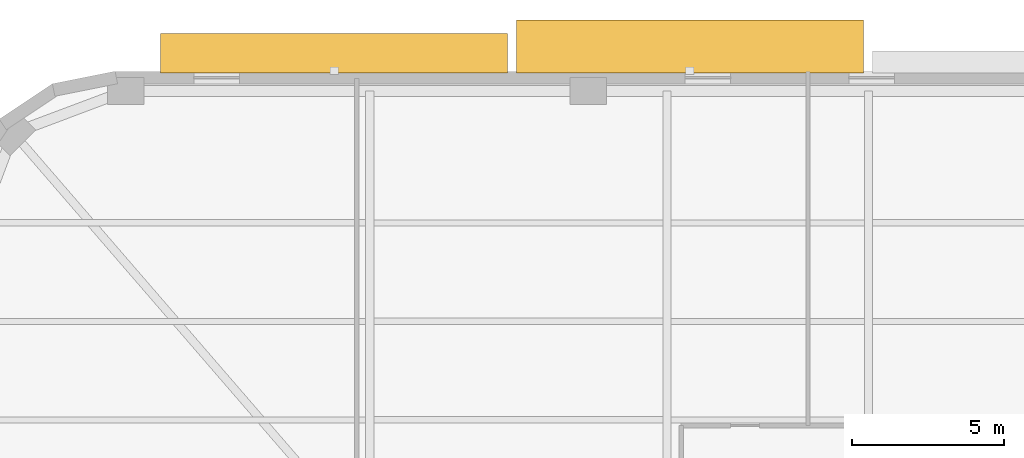
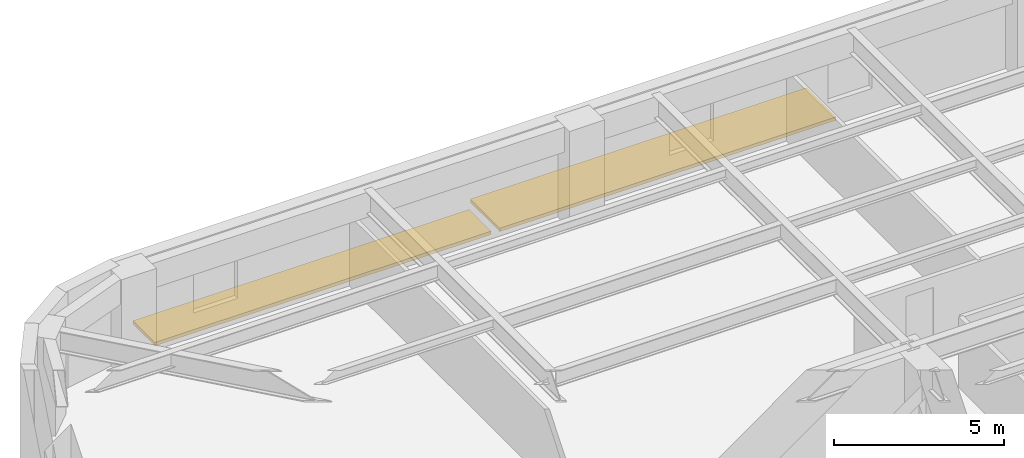
# One storey, part 13 of 15: 2 shading devices.
"""IFC4 building model written with IfcOpenShell, lengths in metres."""

import ifcopenshell
import ifcopenshell.guid

model = None  # the IFC model being written
_history = None  # IfcOwnerHistory: only IFC2X3 demands one
_inside = {}  # id of a spatial element -> (the spatial element, [elements in it])
_under = {}  # id of a project, library or spatial element -> (it, [spatial elements below it])
_declared = {}  # id of a project -> (the project, [libraries it declares])
_typed = {}  # id of a type object -> (the type object, [elements of that type])
_made_of = {}  # id of a material, layer set ... -> (it, [elements and type objects made of it])


def new_model(schema):
    """Start an empty IFC model of exactly this schema.

    Asked for "IFC4X3", IfcOpenShell would pick the latest addendum, in which some entities
    have other attributes; the version numbers below select the first issue.
    IFC2X3 requires an IfcOwnerHistory on every rooted entity: one is made here for all.
    """
    global model, _history
    if schema == "IFC4X3":
        model = ifcopenshell.file(schema_version=(4, 3, 0, 0))
    else:
        model = ifcopenshell.file(schema=schema)
    _inside.clear()
    _under.clear()
    _declared.clear()
    _typed.clear()
    _made_of.clear()
    _history = None
    if model.schema == "IFC2X3":
        org = make("IfcOrganization", Name="unknown")
        user = make(
            "IfcPersonAndOrganization",
            ThePerson=make("IfcPerson", FamilyName="unknown"),
            TheOrganization=org,
        )
        app = make(
            "IfcApplication",
            ApplicationDeveloper=org,
            Version="unknown",
            ApplicationFullName="unknown",
            ApplicationIdentifier="unknown",
        )
        _history = make(
            "IfcOwnerHistory",
            OwningUser=user,
            OwningApplication=app,
            ChangeAction="ADDED",
            CreationDate=0,
        )
    return model


def make(cls, **values):
    """One entity of the class cls with the attributes given. An attribute that is None is left unset."""
    return model.create_entity(
        cls, **{name: value for name, value in values.items() if value is not None}
    )


def rooted(cls, **values):
    """An entity with a GlobalId (a new one), such as an element, a storey or a relation."""
    return make(cls, GlobalId=ifcopenshell.guid.new(), OwnerHistory=_history, **values)


def si_unit(unit_type, name, prefix=None):
    """IfcSIUnit, for example si_unit("LENGTHUNIT", "METRE", prefix="MILLI")."""
    return make("IfcSIUnit", UnitType=unit_type, Prefix=prefix, Name=name)


def assignment(units):
    """IfcUnitAssignment: the units of a project."""
    return None if units is None else make("IfcUnitAssignment", Units=units)


def point(xyz):
    """IfcCartesianPoint."""
    return None if xyz is None else make("IfcCartesianPoint", Coordinates=xyz)


def direction(xyz):
    """IfcDirection."""
    return None if xyz is None else make("IfcDirection", DirectionRatios=xyz)


def frame(location, z_axis=None, x_axis=None):
    """IfcAxis2Placement3D, a coordinate frame: its origin and axes. An axis left out is left unset."""
    return make(
        "IfcAxis2Placement3D",
        Location=point(location),
        Axis=direction(z_axis),
        RefDirection=direction(x_axis),
    )


def frame_2d(location, x_axis=None):
    """IfcAxis2Placement2D, a coordinate frame in the plane: its origin and x axis."""
    return make(
        "IfcAxis2Placement2D", Location=point(location), RefDirection=direction(x_axis)
    )


def origin():
    """The frame at (0, 0, 0) with its axes left unset."""
    return frame((0.0, 0.0, 0.0))


def origin_2d():
    """The frame at (0, 0) in the plane with its x axis left unset."""
    return frame_2d((0.0, 0.0))


def place(relative_to, where):
    """IfcLocalPlacement: puts the frame where relative to a parent placement (None: the world)."""
    return make(
        "IfcLocalPlacement", PlacementRelTo=relative_to, RelativePlacement=where
    )


def context(
    kind, dimensions, precision=None, world=None, true_north=None, identifier=None
):
    """IfcGeometricRepresentationContext, for example the 3D "Model" context."""
    return make(
        "IfcGeometricRepresentationContext",
        ContextIdentifier=identifier,
        ContextType=kind,
        CoordinateSpaceDimension=dimensions,
        Precision=precision,
        WorldCoordinateSystem=world,
        TrueNorth=true_north,
    )


def subcontext(parent, identifier, kind, view, scale=None):
    """IfcGeometricRepresentationSubContext, for example "Body" below "Model"."""
    return make(
        "IfcGeometricRepresentationSubContext",
        ContextIdentifier=identifier,
        ContextType=kind,
        ParentContext=parent,
        TargetScale=scale,
        TargetView=view,
    )


def project(units=None, contexts=None):
    """IfcProject with its units and contexts."""
    return rooted(
        "IfcProject",
        Name="project",
        RepresentationContexts=contexts,
        UnitsInContext=assignment(units),
    )


def spatial(cls, under=None, at=None, **own):
    """A site, building, storey or space (cls), placed at a placement, below another one or the project."""
    s = rooted(cls, ObjectPlacement=at, **own)
    if under is not None:
        _under.setdefault(under.id(), (under, []))[1].append(s)
    return s


def profile(cls, at=None, kind="AREA", **sizes):
    """A parametric profile (cls). Its sizes go by their IFC names, for example OverallWidth=200.0."""
    return make(cls, ProfileType=kind, Position=at, **sizes)


def rectangle(**sizes):
    """IfcRectangleProfileDef."""
    return profile("IfcRectangleProfileDef", **sizes)


def extrude(swept, where, along, depth):
    """IfcExtrudedAreaSolid: the profile swept, set in the frame where, extruded along a direction by depth."""
    return make(
        "IfcExtrudedAreaSolid",
        SweptArea=swept,
        Position=where,
        ExtrudedDirection=direction(along),
        Depth=depth,
    )


def shape(context_of_items, identifier, shape_type, items):
    """IfcShapeRepresentation: the items that make up one representation, for example the "Body"."""
    return make(
        "IfcShapeRepresentation",
        ContextOfItems=context_of_items,
        RepresentationIdentifier=identifier,
        RepresentationType=shape_type,
        Items=items,
    )


def material(Name=None, Category=None):
    """IfcMaterial."""
    return make("IfcMaterial", Name=Name, Category=Category)


def made_of(thing, what):
    """Note that an element or type object is made of a material, layer set ...; save() writes the relation."""
    if what is not None:
        _made_of.setdefault(what.id(), (what, []))[1].append(thing)
    return thing


def type_object(cls, material=None, **own):
    """A type object (cls), such as IfcWallType, which elements share."""
    return made_of(rooted(cls, **own), material)


def element(
    cls,
    number,
    at=None,
    inside=None,
    cuts=None,
    type_object=None,
    material=None,
    context=None,
    identifier="Body",
    shape_type=None,
    held_by="IfcProductDefinitionShape",
    body=None,
    shapes=None,
    **own,
):
    """One element of the class cls, such as IfcWall. Its Tag is "e" and its number.

    at: its placement. inside: the storey or other place that contains it. cuts: it is an
    opening in that element (IfcRelVoidsElement). A single representation is given by context,
    identifier, shape_type and body (its items); several are given by shapes. held_by: the class
    of the entity that holds the representations. save() writes the other relations.
    """
    e = rooted(cls, Tag="e%d" % number, ObjectPlacement=at, **own)
    if body is not None:
        shapes = [shape(context, identifier, shape_type, body)]
    if shapes is not None:
        e.Representation = make(held_by, Representations=shapes)
    if inside is not None:
        _inside.setdefault(inside.id(), (inside, []))[1].append(e)
    if cuts is not None:
        rooted(
            "IfcRelVoidsElement", RelatingBuildingElement=cuts, RelatedOpeningElement=e
        )
    if type_object is not None:
        _typed.setdefault(type_object.id(), (type_object, []))[1].append(e)
    return made_of(e, material)


def aggregate(whole, parts):
    """IfcRelAggregates: a whole, such as a stair, and the parts it consists of."""
    return rooted("IfcRelAggregates", RelatingObject=whole, RelatedObjects=parts)


def save(model, path):
    """Write the relations noted so far, then the file.

    IfcRelAggregates (storeys below a building ...), IfcRelContainedInSpatialStructure (elements
    in a storey), IfcRelDefinesByType, IfcRelAssociatesMaterial and IfcRelDeclares: one each for
    every whole, place, type object, material and project.
    """
    for whole, parts in _under.values():
        aggregate(whole, parts)
    for where, things in _inside.values():
        rooted(
            "IfcRelContainedInSpatialStructure",
            RelatedElements=things,
            RelatingStructure=where,
        )
    for kind, things in _typed.values():
        rooted("IfcRelDefinesByType", RelatedObjects=things, RelatingType=kind)
    for what, things in _made_of.values():
        rooted("IfcRelAssociatesMaterial", RelatedObjects=things, RelatingMaterial=what)
    for by, libraries in _declared.values():
        rooted("IfcRelDeclares", RelatingContext=by, RelatedDefinitions=libraries)
    model.write(path)


model = new_model("IFC4")

# Units and contexts
model_context = context("Model", 3, precision=1e-05, world=origin(), true_north=direction((0.0, 1.0)))
body_context = subcontext(model_context, "Body", "Model", "MODEL_VIEW")
ifc_project = project(units=[si_unit("LENGTHUNIT", "METRE"), si_unit("AREAUNIT", "SQUARE_METRE"), si_unit("VOLUMEUNIT", "CUBIC_METRE"), si_unit("PLANEANGLEUNIT", "RADIAN"), si_unit("MASSUNIT", "GRAM", prefix="KILO")], contexts=[model_context])

# Site, building, storey
site_placement = place(None, origin())
site = spatial("IfcSite", under=ifc_project, at=site_placement, CompositionType="ELEMENT")
building_placement = place(site_placement, origin())
building = spatial("IfcBuilding", under=site, at=building_placement, Name="Kolvaren Arena Tower", CompositionType="ELEMENT")
storey_placement = place(building_placement, frame((0.0, 0.0, 45.75)))
storey = spatial("IfcBuildingStorey", under=building, at=storey_placement, Name="L08", CompositionType="ELEMENT", Elevation=45.75)

# Shading devices
ifc_material = material(Name="Architectural precast GFRC and anodised aluminium sunshade", Category="concrete")
shading_device_type = type_object("IfcShadingDeviceType", Name="SHAD-SINE-B", PredefinedType="JALOUSIE", material=ifc_material)
shading_device_1_placement = place(storey_placement, frame((13.3701171875, 50.0966796875, -0.14013671875), z_axis=(0.0, 0.0, 1.0), x_axis=(1.0, 0.0, 0.0)))
element("IfcShadingDevice", 1, at=shading_device_1_placement, inside=storey, type_object=shading_device_type, Name="Sinusoidal Slab-Edge Sunshade Louvre (L08)", PredefinedType="JALOUSIE", context=body_context, shape_type="SweptSolid", body=[
    extrude(rectangle(XDim=11.43994140625, YDim=1.293701171875, at=origin_2d()), origin(), (0.0, 0.0, 1.0), 0.1201171875),
])
shading_device_2_placement = place(storey_placement, frame((25.110107421875, 50.3203125, -0.14013671875), z_axis=(0.0, 0.0, 1.0), x_axis=(1.0, 0.0, 0.0)))
element("IfcShadingDevice", 2, at=shading_device_2_placement, inside=storey, type_object=shading_device_type, Name="Sinusoidal Slab-Edge Sunshade Louvre (L08)", PredefinedType="JALOUSIE", context=body_context, shape_type="SweptSolid", body=[
    extrude(rectangle(XDim=11.43994140625, YDim=1.740478515625, at=origin_2d()), origin(), (0.0, 0.0, 1.0), 0.1201171875),
])

save(model, "model.ifc")
